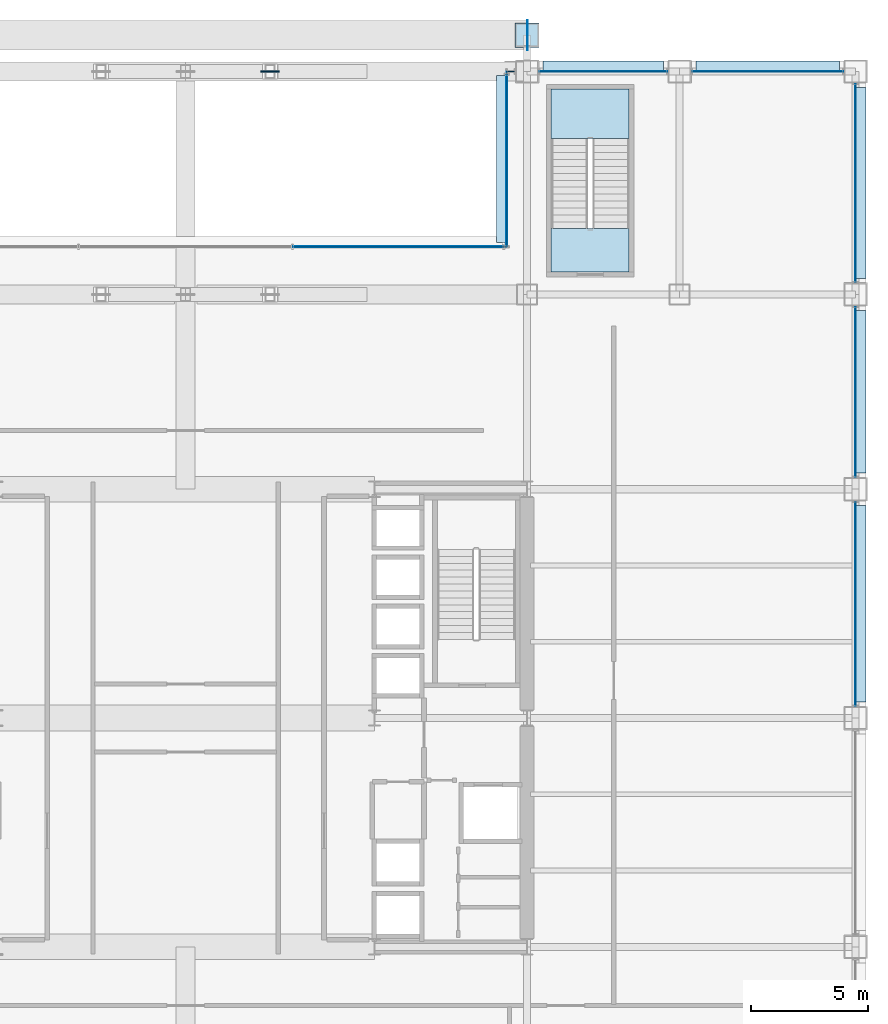
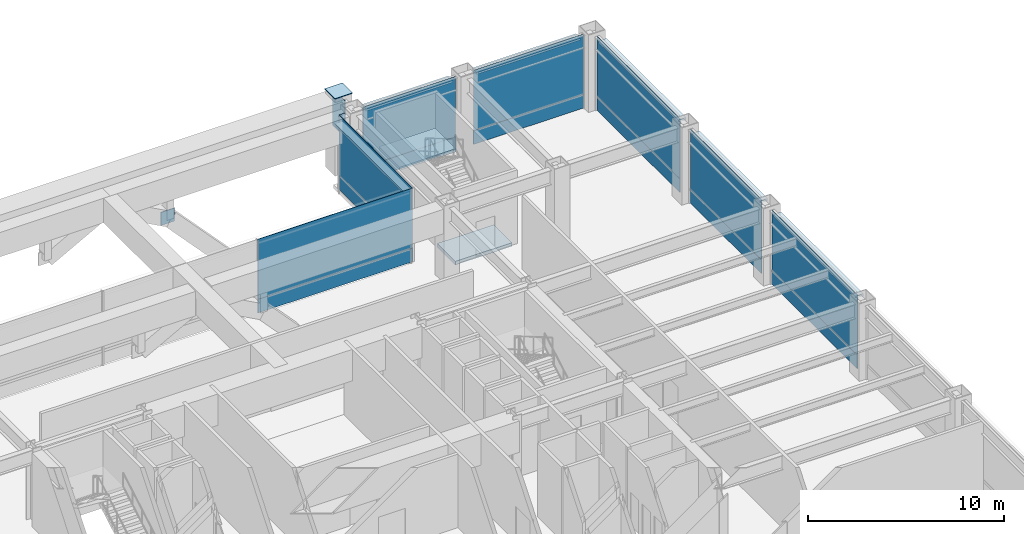
# One storey, part 30 of 37: 24 plates, 2 slabs, 9 elements without a shape of their own.
"""IFC4 building model written with IfcOpenShell, lengths in metres."""

import ifcopenshell
import ifcopenshell.guid

model = None  # the IFC model being written
_history = None  # IfcOwnerHistory: only IFC2X3 demands one
_inside = {}  # id of a spatial element -> (the spatial element, [elements in it])
_under = {}  # id of a project, library or spatial element -> (it, [spatial elements below it])
_declared = {}  # id of a project -> (the project, [libraries it declares])
_typed = {}  # id of a type object -> (the type object, [elements of that type])
_made_of = {}  # id of a material, layer set ... -> (it, [elements and type objects made of it])


def new_model(schema):
    """Start an empty IFC model of exactly this schema.

    Asked for "IFC4X3", IfcOpenShell would pick the latest addendum, in which some entities
    have other attributes; the version numbers below select the first issue.
    IFC2X3 requires an IfcOwnerHistory on every rooted entity: one is made here for all.
    """
    global model, _history
    if schema == "IFC4X3":
        model = ifcopenshell.file(schema_version=(4, 3, 0, 0))
    else:
        model = ifcopenshell.file(schema=schema)
    _inside.clear()
    _under.clear()
    _declared.clear()
    _typed.clear()
    _made_of.clear()
    _history = None
    if model.schema == "IFC2X3":
        org = make("IfcOrganization", Name="unknown")
        user = make(
            "IfcPersonAndOrganization",
            ThePerson=make("IfcPerson", FamilyName="unknown"),
            TheOrganization=org,
        )
        app = make(
            "IfcApplication",
            ApplicationDeveloper=org,
            Version="unknown",
            ApplicationFullName="unknown",
            ApplicationIdentifier="unknown",
        )
        _history = make(
            "IfcOwnerHistory",
            OwningUser=user,
            OwningApplication=app,
            ChangeAction="ADDED",
            CreationDate=0,
        )
    return model


def make(cls, **values):
    """One entity of the class cls with the attributes given. An attribute that is None is left unset."""
    return model.create_entity(
        cls, **{name: value for name, value in values.items() if value is not None}
    )


def rooted(cls, **values):
    """An entity with a GlobalId (a new one), such as an element, a storey or a relation."""
    return make(cls, GlobalId=ifcopenshell.guid.new(), OwnerHistory=_history, **values)


def si_unit(unit_type, name, prefix=None):
    """IfcSIUnit, for example si_unit("LENGTHUNIT", "METRE", prefix="MILLI")."""
    return make("IfcSIUnit", UnitType=unit_type, Prefix=prefix, Name=name)


def assignment(units):
    """IfcUnitAssignment: the units of a project."""
    return None if units is None else make("IfcUnitAssignment", Units=units)


def point(xyz):
    """IfcCartesianPoint."""
    return None if xyz is None else make("IfcCartesianPoint", Coordinates=xyz)


def direction(xyz):
    """IfcDirection."""
    return None if xyz is None else make("IfcDirection", DirectionRatios=xyz)


def frame(location, z_axis=None, x_axis=None):
    """IfcAxis2Placement3D, a coordinate frame: its origin and axes. An axis left out is left unset."""
    return make(
        "IfcAxis2Placement3D",
        Location=point(location),
        Axis=direction(z_axis),
        RefDirection=direction(x_axis),
    )


def frame_2d(location, x_axis=None):
    """IfcAxis2Placement2D, a coordinate frame in the plane: its origin and x axis."""
    return make(
        "IfcAxis2Placement2D", Location=point(location), RefDirection=direction(x_axis)
    )


def origin():
    """The frame at (0, 0, 0) with its axes left unset."""
    return frame((0.0, 0.0, 0.0))


def origin_2d():
    """The frame at (0, 0) in the plane with its x axis left unset."""
    return frame_2d((0.0, 0.0))


def place(relative_to, where):
    """IfcLocalPlacement: puts the frame where relative to a parent placement (None: the world)."""
    return make(
        "IfcLocalPlacement", PlacementRelTo=relative_to, RelativePlacement=where
    )


def context(
    kind, dimensions, precision=None, world=None, true_north=None, identifier=None
):
    """IfcGeometricRepresentationContext, for example the 3D "Model" context."""
    return make(
        "IfcGeometricRepresentationContext",
        ContextIdentifier=identifier,
        ContextType=kind,
        CoordinateSpaceDimension=dimensions,
        Precision=precision,
        WorldCoordinateSystem=world,
        TrueNorth=true_north,
    )


def subcontext(parent, identifier, kind, view, scale=None):
    """IfcGeometricRepresentationSubContext, for example "Body" below "Model"."""
    return make(
        "IfcGeometricRepresentationSubContext",
        ContextIdentifier=identifier,
        ContextType=kind,
        ParentContext=parent,
        TargetScale=scale,
        TargetView=view,
    )


def project(units=None, contexts=None):
    """IfcProject with its units and contexts."""
    return rooted(
        "IfcProject",
        Name="project",
        RepresentationContexts=contexts,
        UnitsInContext=assignment(units),
    )


def spatial(cls, under=None, at=None, **own):
    """A site, building, storey or space (cls), placed at a placement, below another one or the project."""
    s = rooted(cls, ObjectPlacement=at, **own)
    if under is not None:
        _under.setdefault(under.id(), (under, []))[1].append(s)
    return s


def polyline(points):
    """IfcPolyline through the points."""
    return make("IfcPolyline", Points=[point(p) for p in points])


def profile(cls, at=None, kind="AREA", **sizes):
    """A parametric profile (cls). Its sizes go by their IFC names, for example OverallWidth=200.0."""
    return make(cls, ProfileType=kind, Position=at, **sizes)


def rectangle(**sizes):
    """IfcRectangleProfileDef."""
    return profile("IfcRectangleProfileDef", **sizes)


def outline(outer, holes=None, kind="AREA"):
    """IfcArbitraryClosedProfileDef: a profile drawn as a closed curve; with holes, ...WithVoids."""
    if holes is None:
        return make("IfcArbitraryClosedProfileDef", ProfileType=kind, OuterCurve=outer)
    return make(
        "IfcArbitraryProfileDefWithVoids",
        ProfileType=kind,
        OuterCurve=outer,
        InnerCurves=holes,
    )


def extrude(swept, where, along, depth):
    """IfcExtrudedAreaSolid: the profile swept, set in the frame where, extruded along a direction by depth."""
    return make(
        "IfcExtrudedAreaSolid",
        SweptArea=swept,
        Position=where,
        ExtrudedDirection=direction(along),
        Depth=depth,
    )


def shape(context_of_items, identifier, shape_type, items):
    """IfcShapeRepresentation: the items that make up one representation, for example the "Body"."""
    return make(
        "IfcShapeRepresentation",
        ContextOfItems=context_of_items,
        RepresentationIdentifier=identifier,
        RepresentationType=shape_type,
        Items=items,
    )


def material(Name=None, Category=None):
    """IfcMaterial."""
    return make("IfcMaterial", Name=Name, Category=Category)


def layer(
    of_material, thickness, ventilated=None, Name=None, Category=None, Priority=None
):
    """IfcMaterialLayer: one layer of a wall or slab, of a material (None: an air gap)."""
    return make(
        "IfcMaterialLayer",
        Material=of_material,
        LayerThickness=thickness,
        IsVentilated=ventilated,
        Name=Name,
        Category=Category,
        Priority=Priority,
    )


def layer_set(layers, Name=None):
    """IfcMaterialLayerSet."""
    return make("IfcMaterialLayerSet", MaterialLayers=layers, LayerSetName=Name)


def made_of(thing, what):
    """Note that an element or type object is made of a material, layer set ...; save() writes the relation."""
    if what is not None:
        _made_of.setdefault(what.id(), (what, []))[1].append(thing)
    return thing


def type_object(cls, material=None, **own):
    """A type object (cls), such as IfcWallType, which elements share."""
    return made_of(rooted(cls, **own), material)


def element(
    cls,
    number,
    at=None,
    inside=None,
    cuts=None,
    type_object=None,
    material=None,
    context=None,
    identifier="Body",
    shape_type=None,
    held_by="IfcProductDefinitionShape",
    body=None,
    shapes=None,
    **own,
):
    """One element of the class cls, such as IfcWall. Its Tag is "e" and its number.

    at: its placement. inside: the storey or other place that contains it. cuts: it is an
    opening in that element (IfcRelVoidsElement). A single representation is given by context,
    identifier, shape_type and body (its items); several are given by shapes. held_by: the class
    of the entity that holds the representations. save() writes the other relations.
    """
    e = rooted(cls, Tag="e%d" % number, ObjectPlacement=at, **own)
    if body is not None:
        shapes = [shape(context, identifier, shape_type, body)]
    if shapes is not None:
        e.Representation = make(held_by, Representations=shapes)
    if inside is not None:
        _inside.setdefault(inside.id(), (inside, []))[1].append(e)
    if cuts is not None:
        rooted(
            "IfcRelVoidsElement", RelatingBuildingElement=cuts, RelatedOpeningElement=e
        )
    if type_object is not None:
        _typed.setdefault(type_object.id(), (type_object, []))[1].append(e)
    return made_of(e, material)


def aggregate(whole, parts):
    """IfcRelAggregates: a whole, such as a stair, and the parts it consists of."""
    return rooted("IfcRelAggregates", RelatingObject=whole, RelatedObjects=parts)


def save(model, path):
    """Write the relations noted so far, then the file.

    IfcRelAggregates (storeys below a building ...), IfcRelContainedInSpatialStructure (elements
    in a storey), IfcRelDefinesByType, IfcRelAssociatesMaterial and IfcRelDeclares: one each for
    every whole, place, type object, material and project.
    """
    for whole, parts in _under.values():
        aggregate(whole, parts)
    for where, things in _inside.values():
        rooted(
            "IfcRelContainedInSpatialStructure",
            RelatedElements=things,
            RelatingStructure=where,
        )
    for kind, things in _typed.values():
        rooted("IfcRelDefinesByType", RelatedObjects=things, RelatingType=kind)
    for what, things in _made_of.values():
        rooted("IfcRelAssociatesMaterial", RelatedObjects=things, RelatingMaterial=what)
    for by, libraries in _declared.values():
        rooted("IfcRelDeclares", RelatingContext=by, RelatedDefinitions=libraries)
    model.write(path)


model = new_model("IFC4")

# Units and contexts
model_context = context("Model", 3, precision=1e-05, world=origin(), true_north=direction((0.0, 1.0)))
body_context = subcontext(model_context, "Body", "Model", "MODEL_VIEW")
ifc_project = project(units=[si_unit("LENGTHUNIT", "METRE"), si_unit("AREAUNIT", "SQUARE_METRE"), si_unit("VOLUMEUNIT", "CUBIC_METRE"), si_unit("PLANEANGLEUNIT", "RADIAN"), si_unit("MASSUNIT", "GRAM", prefix="KILO")], contexts=[model_context])

# Site, building, storey
site_placement = place(None, origin())
site = spatial("IfcSite", under=ifc_project, at=site_placement, CompositionType="ELEMENT")
building_placement = place(site_placement, origin())
building = spatial("IfcBuilding", under=site, at=building_placement, Name="Brelmoor Portico Tower", CompositionType="ELEMENT")
storey_placement = place(building_placement, frame((0.0, 0.0, 14.39990234375)))
storey = spatial("IfcBuildingStorey", under=building, at=storey_placement, Name="L03", CompositionType="ELEMENT", Elevation=14.39990234375)

# Plates
ifc_material_1 = material(Name="Steel Q355B", Category="steel")
ifc_layer_1 = layer(ifc_material_1, 0.044921875)
ifc_layer_set_1 = layer_set([ifc_layer_1], Name="Steel Q355B")
plate_type_1 = type_object("IfcPlateType", Name="PT-CAP-650", PredefinedType="SHEET", material=ifc_layer_set_1)
plate_1_placement = place(storey_placement, frame((14.550048828125, 29.10009765625, 4.800048828125), z_axis=(0.0, 0.0, 1.0), x_axis=(1.0, 0.0, 0.0)))
element("IfcPlate", 1, at=plate_1_placement, inside=storey, type_object=plate_type_1, Name="L03 Giant Arch Entrance Portal Pier EP-NE Welded Head Cap Plate", PredefinedType="SHEET", context=body_context, shape_type="SweptSolid", body=[
    extrude(rectangle(XDim=1.0400390625, YDim=1.0400390625, at=origin_2d()), origin(), (0.0, 0.0, 1.0), 0.0400390625),
])
plate_2_placement = place(storey_placement, frame((14.570068359375, 29.10009765625, 2.31005859375), z_axis=(0.0, 0.0, 1.0), x_axis=(1.0, 0.0, 0.0)))
element("IfcPlate", 2, at=plate_2_placement, inside=storey, type_object=plate_type_1, Name="L03 Entrance Portal Header End Cap Plate N-E", PredefinedType="SHEET", context=body_context, shape_type="SweptSolid", body=[
    extrude(rectangle(XDim=0.0400390625, YDim=1.2900390625, at=origin_2d()), origin(), (0.0, 0.0, 1.0), 2.2900390625),
])

# Curtain wall, plate
ifc_material_2 = material(Name="Anodised Aluminium Alloy 6063-T6", Category="aluminium")
ifc_layer_2 = layer(ifc_material_2, 0.179931640625)
ifc_layer_set_2 = layer_set([ifc_layer_2], Name="Anodised Aluminium Alloy 6063-T6")
curtain_wall_type = type_object("IfcCurtainWallType", Name="CW-PODIUM-ARCH", PredefinedType="NOTDEFINED", material=ifc_layer_set_2)
curtain_wall_1_placement = place(storey_placement, origin())
curtain_wall_1 = element("IfcCurtainWall", 3, at=curtain_wall_1_placement, inside=storey, type_object=curtain_wall_type, Name="L03 Curtain Wall CW-L03-07-1", PredefinedType="NOTDEFINED")
ifc_material_3 = material(Name="Double-Silver Low-E Insulated Glazing", Category="glass")
ifc_layer_3 = layer(ifc_material_3, 0.035888671875)
ifc_layer_set_3 = layer_set([ifc_layer_3], Name="Double-Silver Low-E Insulated Glazing")
plate_type_2 = type_object("IfcPlateType", Name="PT-CW-GLASS", PredefinedType="CURTAIN_PANEL", material=ifc_layer_set_3)
plate_3_placement = place(storey_placement, frame((13.860107421875, 27.550048828125, 0.85009765625), z_axis=(0.0, 0.0, 1.0), x_axis=(1.0, 0.0, 0.0)))
plate_3 = element("IfcPlate", 4, at=plate_3_placement, type_object=plate_type_2, Name="CW-L03-07-1 Vision Glass Panel 00", PredefinedType="CURTAIN_PANEL", context=body_context, shape_type="SweptSolid", body=[
    extrude(rectangle(XDim=0.330078125, YDim=0.035888671875, at=origin_2d()), origin(), (0.0, 0.0, 1.0), 3.72998046875),
])
aggregate(curtain_wall_1, [plate_3])

curtain_wall_2_placement = place(storey_placement, origin())
curtain_wall_2 = element("IfcCurtainWall", 5, at=curtain_wall_2_placement, inside=storey, type_object=curtain_wall_type, Name="L03 Curtain Wall CW-L03-07-2", PredefinedType="NOTDEFINED")
plate_4_placement = place(storey_placement, frame((17.800048828125, 27.550048828125, 0.85009765625), z_axis=(0.0, 0.0, 1.0), x_axis=(1.0, 0.0, 0.0)))
plate_4 = element("IfcPlate", 6, at=plate_4_placement, type_object=plate_type_2, Name="CW-L03-07-2 Vision Glass Panel 00", PredefinedType="CURTAIN_PANEL", context=body_context, shape_type="SweptSolid", body=[
    extrude(rectangle(XDim=5.449951171875, YDim=0.035888671875, at=origin_2d()), origin(), (0.0, 0.0, 1.0), 3.72998046875),
])

curtain_wall_3_placement = place(storey_placement, origin())
curtain_wall_3 = element("IfcCurtainWall", 7, at=curtain_wall_3_placement, inside=storey, type_object=curtain_wall_type, Name="L03 Curtain Wall CW-L03-07-3", PredefinedType="NOTDEFINED")
plate_5_placement = place(storey_placement, frame((24.800048828125, 27.550048828125, 0.85009765625), z_axis=(0.0, 0.0, 1.0), x_axis=(1.0, 0.0, 0.0)))
plate_5 = element("IfcPlate", 8, at=plate_5_placement, type_object=plate_type_2, Name="CW-L03-07-3 Vision Glass Panel 00", PredefinedType="CURTAIN_PANEL", context=body_context, shape_type="SweptSolid", body=[
    extrude(rectangle(XDim=6.449951171875, YDim=0.035888671875, at=origin_2d()), origin(), (0.0, 0.0, 1.0), 3.72998046875),
])

curtain_wall_4_placement = place(storey_placement, origin())
curtain_wall_4 = element("IfcCurtainWall", 9, at=curtain_wall_4_placement, inside=storey, type_object=curtain_wall_type, Name="L03 Curtain Wall CW-L03-09", PredefinedType="NOTDEFINED")
plate_6_placement = place(storey_placement, frame((13.679931640625, 23.81494140625, 0.85009765625), z_axis=(0.0, 0.0, 1.0), x_axis=(0.0, 1.0, 0.0)))
plate_6 = element("IfcPlate", 10, at=plate_6_placement, type_object=plate_type_2, Name="CW-L03-09 Vision Glass Panel 00", PredefinedType="CURTAIN_PANEL", context=body_context, shape_type="SweptSolid", body=[
    extrude(rectangle(XDim=7.43994140625, YDim=0.035888671875, at=origin_2d()), origin(), (0.0, 0.0, 1.0), 3.72998046875),
])

curtain_wall_5_placement = place(storey_placement, origin())
curtain_wall_5 = element("IfcCurtainWall", 11, at=curtain_wall_5_placement, inside=storey, type_object=curtain_wall_type, Name="L03 Curtain Wall CW-L03-10", PredefinedType="NOTDEFINED")
plate_7_placement = place(storey_placement, frame((9.1201171875, 20.080078125, 0.85009765625), z_axis=(0.0, 0.0, 1.0), x_axis=(1.0, 0.0, 0.0)))
plate_7 = element("IfcPlate", 12, at=plate_7_placement, type_object=plate_type_2, Name="CW-L03-10 Vision Glass Panel 02", PredefinedType="CURTAIN_PANEL", context=body_context, shape_type="SweptSolid", body=[
    extrude(rectangle(XDim=9.090087890625, YDim=0.035888671875, at=origin_2d()), origin(), (0.0, 0.0, 1.0), 3.72998046875),
])

curtain_wall_6_placement = place(storey_placement, origin())
curtain_wall_6 = element("IfcCurtainWall", 13, at=curtain_wall_6_placement, inside=storey, type_object=curtain_wall_type, Name="L03 Curtain Wall CW-L03-12-4", PredefinedType="NOTDEFINED")
plate_8_placement = place(storey_placement, frame((28.550048828125, 4.875, 0.85009765625), z_axis=(0.0, 0.0, 1.0), x_axis=(0.0, 1.0, 0.0)))
plate_8 = element("IfcPlate", 14, at=plate_8_placement, type_object=plate_type_2, Name="CW-L03-12-4 Vision Glass Panel 00", PredefinedType="CURTAIN_PANEL", context=body_context, shape_type="SweptSolid", body=[
    extrude(rectangle(XDim=8.699951171875, YDim=0.035888671875, at=origin_2d()), origin(), (0.0, 0.0, 1.0), 3.72998046875),
])

curtain_wall_7_placement = place(storey_placement, origin())
curtain_wall_7 = element("IfcCurtainWall", 15, at=curtain_wall_7_placement, inside=storey, type_object=curtain_wall_type, Name="L03 Curtain Wall CW-L03-12-5", PredefinedType="NOTDEFINED")
plate_9_placement = place(storey_placement, frame((28.550048828125, 13.89990234375, 0.85009765625), z_axis=(0.0, 0.0, 1.0), x_axis=(0.0, 1.0, 0.0)))
plate_9 = element("IfcPlate", 16, at=plate_9_placement, type_object=plate_type_2, Name="CW-L03-12-5 Vision Glass Panel 00", PredefinedType="CURTAIN_PANEL", context=body_context, shape_type="SweptSolid", body=[
    extrude(rectangle(XDim=7.25, YDim=0.035888671875, at=origin_2d()), origin(), (0.0, 0.0, 1.0), 3.72998046875),
])

curtain_wall_8_placement = place(storey_placement, origin())
curtain_wall_8 = element("IfcCurtainWall", 17, at=curtain_wall_8_placement, inside=storey, type_object=curtain_wall_type, Name="L03 Curtain Wall CW-L03-12-6", PredefinedType="NOTDEFINED")
plate_10_placement = place(storey_placement, frame((28.550048828125, 22.800048828125, 0.85009765625), z_axis=(0.0, 0.0, 1.0), x_axis=(0.0, 1.0, 0.0)))
plate_10 = element("IfcPlate", 18, at=plate_10_placement, type_object=plate_type_2, Name="CW-L03-12-6 Vision Glass Panel 00", PredefinedType="CURTAIN_PANEL", context=body_context, shape_type="SweptSolid", body=[
    extrude(rectangle(XDim=8.449951171875, YDim=0.035888671875, at=origin_2d()), origin(), (0.0, 0.0, 1.0), 3.72998046875),
])

# Plate
ifc_material_4 = material(Name="Pale Champagne Anodised Aluminium Panel", Category="aluminium")
ifc_layer_4 = layer(ifc_material_4, 0.050048828125)
ifc_layer_set_4 = layer_set([ifc_layer_4], Name="Pale Champagne Anodised Aluminium Panel")
plate_type_3 = type_object("IfcPlateType", Name="PT-CW-SPANDREL", PredefinedType="SHEET", material=ifc_layer_set_4)
plate_11_placement = place(storey_placement, frame((17.800048828125, 27.550048828125, 0.0), z_axis=(0.0, 0.0, 1.0), x_axis=(1.0, 0.0, 0.0)))
plate_11 = element("IfcPlate", 19, at=plate_11_placement, type_object=plate_type_3, Name="CW-L03-07-2 Spandrel Panel 00", PredefinedType="SHEET", context=body_context, shape_type="SweptSolid", body=[
    extrude(rectangle(XDim=5.449951171875, YDim=0.050048828125, at=origin_2d()), origin(), (0.0, 0.0, 1.0), 0.85009765625),
])

aggregate(curtain_wall_2, [plate_11, plate_4])

plate_12_placement = place(storey_placement, frame((24.800048828125, 27.550048828125, 0.0), z_axis=(0.0, 0.0, 1.0), x_axis=(1.0, 0.0, 0.0)))
plate_12 = element("IfcPlate", 20, at=plate_12_placement, type_object=plate_type_3, Name="CW-L03-07-3 Spandrel Panel 00", PredefinedType="SHEET", context=body_context, shape_type="SweptSolid", body=[
    extrude(rectangle(XDim=6.449951171875, YDim=0.050048828125, at=origin_2d()), origin(), (0.0, 0.0, 1.0), 0.85009765625),
])

aggregate(curtain_wall_3, [plate_12, plate_5])

plate_13_placement = place(storey_placement, frame((13.679931640625, 23.81494140625, 0.0), z_axis=(0.0, 0.0, 1.0), x_axis=(0.0, 1.0, 0.0)))
plate_13 = element("IfcPlate", 21, at=plate_13_placement, type_object=plate_type_3, Name="CW-L03-09 Spandrel Panel 00", PredefinedType="SHEET", context=body_context, shape_type="SweptSolid", body=[
    extrude(rectangle(XDim=7.43994140625, YDim=0.050048828125, at=origin_2d()), origin(), (0.0, 0.0, 1.0), 0.85009765625),
])

aggregate(curtain_wall_4, [plate_13, plate_6])

plate_14_placement = place(storey_placement, frame((9.1201171875, 20.080078125, 0.0), z_axis=(0.0, 0.0, 1.0), x_axis=(1.0, 0.0, 0.0)))
plate_14 = element("IfcPlate", 22, at=plate_14_placement, type_object=plate_type_3, Name="CW-L03-10 Spandrel Panel 02", PredefinedType="SHEET", context=body_context, shape_type="SweptSolid", body=[
    extrude(rectangle(XDim=9.090087890625, YDim=0.050048828125, at=origin_2d()), origin(), (0.0, 0.0, 1.0), 0.85009765625),
])

aggregate(curtain_wall_5, [plate_14, plate_7])

plate_15_placement = place(storey_placement, frame((28.550048828125, 4.875, 0.0), z_axis=(0.0, 0.0, 1.0), x_axis=(0.0, 1.0, 0.0)))
plate_15 = element("IfcPlate", 23, at=plate_15_placement, type_object=plate_type_3, Name="CW-L03-12-4 Spandrel Panel 00", PredefinedType="SHEET", context=body_context, shape_type="SweptSolid", body=[
    extrude(rectangle(XDim=8.699951171875, YDim=0.050048828125, at=origin_2d()), origin(), (0.0, 0.0, 1.0), 0.85009765625),
])

aggregate(curtain_wall_6, [plate_15, plate_8])

plate_16_placement = place(storey_placement, frame((28.550048828125, 13.89990234375, 0.0), z_axis=(0.0, 0.0, 1.0), x_axis=(0.0, 1.0, 0.0)))
plate_16 = element("IfcPlate", 24, at=plate_16_placement, type_object=plate_type_3, Name="CW-L03-12-5 Spandrel Panel 00", PredefinedType="SHEET", context=body_context, shape_type="SweptSolid", body=[
    extrude(rectangle(XDim=7.25, YDim=0.050048828125, at=origin_2d()), origin(), (0.0, 0.0, 1.0), 0.85009765625),
])

aggregate(curtain_wall_7, [plate_16, plate_9])

plate_17_placement = place(storey_placement, frame((28.550048828125, 22.800048828125, 0.0), z_axis=(0.0, 0.0, 1.0), x_axis=(0.0, 1.0, 0.0)))
plate_17 = element("IfcPlate", 25, at=plate_17_placement, type_object=plate_type_3, Name="CW-L03-12-6 Spandrel Panel 00", PredefinedType="SHEET", context=body_context, shape_type="SweptSolid", body=[
    extrude(rectangle(XDim=8.449951171875, YDim=0.050048828125, at=origin_2d()), origin(), (0.0, 0.0, 1.0), 0.85009765625),
])

aggregate(curtain_wall_8, [plate_17, plate_10])

# Plates
ifc_layer_5 = layer(ifc_material_1, 0.050048828125)
ifc_layer_set_5 = layer_set([ifc_layer_5], Name="Steel Q355B")
plate_type_4 = type_object("IfcPlateType", Name="PT-GUSSET-800", PredefinedType="USERDEFINED", material=ifc_layer_set_5)
plate_18_placement = place(storey_placement, frame((3.60009765625, 27.550048828125, 1.39990234375), z_axis=(0.0, 0.0, 1.0), x_axis=(1.0, 0.0, 0.0)))
element("IfcPlate", 26, at=plate_18_placement, inside=storey, type_object=plate_type_4, Name="Portico Arch Gusset Plate N1-5", ObjectType="GUSSET PLATE", PredefinedType="USERDEFINED", context=body_context, shape_type="SweptSolid", body=[
    extrude(rectangle(XDim=0.800048828125, YDim=0.050048828125, at=origin_2d()), origin(), (0.0, 0.0, 1.0), 0.800048828125),
])
ifc_material_5 = material(Name="Pale Champagne Perforated Aluminium Solar Screen", Category="aluminium")
ifc_layer_6 = layer(ifc_material_5, 0.054931640625)
ifc_layer_set_6 = layer_set([ifc_layer_6], Name="Pale Champagne Perforated Aluminium Solar Screen")
plate_type_5 = type_object("IfcPlateType", Name="PT-SOLAR-LOUVRE", PredefinedType="SHEET", material=ifc_layer_set_6)
plate_19_placement = place(storey_placement, frame((17.800048828125, 27.760009765625, 4.27001953125), z_axis=(0.0, 0.0, 1.0), x_axis=(1.0, 0.0, 0.0)))
element("IfcPlate", 27, at=plate_19_placement, inside=storey, type_object=plate_type_5, Name="CW-L03-07-2 Caribbean Brise-Soleil Solar Screen", PredefinedType="SHEET", context=body_context, shape_type="SweptSolid", body=[
    extrude(rectangle(XDim=5.1201171875, YDim=0.4599609375, at=origin_2d()), origin(), (0.0, 0.0, 1.0), 0.139892578125),
])
plate_20_placement = place(storey_placement, frame((24.800048828125, 27.760009765625, 4.27001953125), z_axis=(0.0, 0.0, 1.0), x_axis=(1.0, 0.0, 0.0)))
element("IfcPlate", 28, at=plate_20_placement, inside=storey, type_object=plate_type_5, Name="CW-L03-07-3 Caribbean Brise-Soleil Solar Screen", PredefinedType="SHEET", context=body_context, shape_type="SweptSolid", body=[
    extrude(rectangle(XDim=6.1201171875, YDim=0.4599609375, at=origin_2d()), origin(), (0.0, 0.0, 1.0), 0.139892578125),
])
plate_21_placement = place(storey_placement, frame((13.469970703125, 23.81494140625, 4.27001953125), z_axis=(0.0, 0.0, 1.0), x_axis=(0.0, 1.0, 0.0)))
element("IfcPlate", 29, at=plate_21_placement, inside=storey, type_object=plate_type_5, Name="CW-L03-09 Caribbean Brise-Soleil Solar Screen", PredefinedType="SHEET", context=body_context, shape_type="SweptSolid", body=[
    extrude(rectangle(XDim=7.110107421875, YDim=0.4599609375, at=origin_2d()), origin(), (0.0, 0.0, 1.0), 0.139892578125),
])
plate_22_placement = place(storey_placement, frame((28.760009765625, 4.875, 4.27001953125), z_axis=(0.0, 0.0, 1.0), x_axis=(0.0, 1.0, 0.0)))
element("IfcPlate", 30, at=plate_22_placement, inside=storey, type_object=plate_type_5, Name="CW-L03-12-4 Caribbean Brise-Soleil Solar Screen", PredefinedType="SHEET", context=body_context, shape_type="SweptSolid", body=[
    extrude(rectangle(XDim=8.3701171875, YDim=0.4599609375, at=origin_2d()), origin(), (0.0, 0.0, 1.0), 0.139892578125),
])
plate_23_placement = place(storey_placement, frame((28.760009765625, 13.89990234375, 4.27001953125), z_axis=(0.0, 0.0, 1.0), x_axis=(0.0, 1.0, 0.0)))
element("IfcPlate", 31, at=plate_23_placement, inside=storey, type_object=plate_type_5, Name="CW-L03-12-5 Caribbean Brise-Soleil Solar Screen", PredefinedType="SHEET", context=body_context, shape_type="SweptSolid", body=[
    extrude(rectangle(XDim=6.919921875, YDim=0.4599609375, at=origin_2d()), origin(), (0.0, 0.0, 1.0), 0.139892578125),
])
plate_24_placement = place(storey_placement, frame((28.760009765625, 22.800048828125, 4.27001953125), z_axis=(0.0, 0.0, 1.0), x_axis=(0.0, 1.0, 0.0)))
element("IfcPlate", 32, at=plate_24_placement, inside=storey, type_object=plate_type_5, Name="CW-L03-12-6 Caribbean Brise-Soleil Solar Screen", PredefinedType="SHEET", context=body_context, shape_type="SweptSolid", body=[
    extrude(rectangle(XDim=8.1201171875, YDim=0.4599609375, at=origin_2d()), origin(), (0.0, 0.0, 1.0), 0.139892578125),
])

# Stair, slab
ifc_material_6 = material(Name="Concrete C40", Category="concrete")
stair_type = type_object("IfcStairType", Name="ST-POD-P2", PredefinedType="HALF_TURN_STAIR", material=ifc_material_6)
stair_placement = place(storey_placement, origin())
stair = element("IfcStair", 33, at=stair_placement, inside=storey, type_object=stair_type, Name="L03 Podium Protected Exit Stair ST-P2", PredefinedType="HALF_TURN_STAIR")
ifc_layer_7 = layer(ifc_material_6, 0.179931640625)
ifc_layer_set_7 = layer_set([ifc_layer_7], Name="Concrete C40")
slab_type_1 = type_object("IfcSlabType", Name="SL-LANDING-180", PredefinedType="LANDING", material=ifc_layer_set_7)
slab_1_placement = place(storey_placement, frame((0.0, 0.0, 2.2001953125)))
slab_1 = element("IfcSlab", 34, at=slab_1_placement, type_object=slab_type_1, Name="ST-P2 landing 1", PredefinedType="LANDING", context=body_context, shape_type="SweptSolid", body=[
    extrude(outline(polyline([(18.89990234375, 24.68505859375), (18.89990234375, 26.800048828125), (15.580078125, 26.800048828125), (15.580078125, 24.68505859375), (18.89990234375, 24.68505859375)])), origin(), (0.0, 0.0, 1.0), 0.199951171875),
])
aggregate(stair, [slab_1])

# Slab
ifc_layer_8 = layer(ifc_material_6, 0.219970703125)
ifc_layer_set_8 = layer_set([ifc_layer_8], Name="Concrete C40")
slab_type_2 = type_object("IfcSlabType", Name="SL-STAIR-FL220", PredefinedType="LANDING", material=ifc_layer_set_8)
slab_2_placement = place(storey_placement, frame((0.0, 0.0, -0.219970703125)))
element("IfcSlab", 35, at=slab_2_placement, inside=storey, type_object=slab_type_2, Name="L03 ST-P2 Structural Floor Landing Slab", PredefinedType="LANDING", context=body_context, shape_type="SweptSolid", body=[
    extrude(outline(polyline([(18.89990234375, 19.0), (18.89990234375, 20.85009765625), (15.580078125, 20.85009765625), (15.580078125, 19.0), (18.89990234375, 19.0)])), origin(), (0.0, 0.0, 1.0), 0.219970703125),
])

save(model, "model.ifc")
